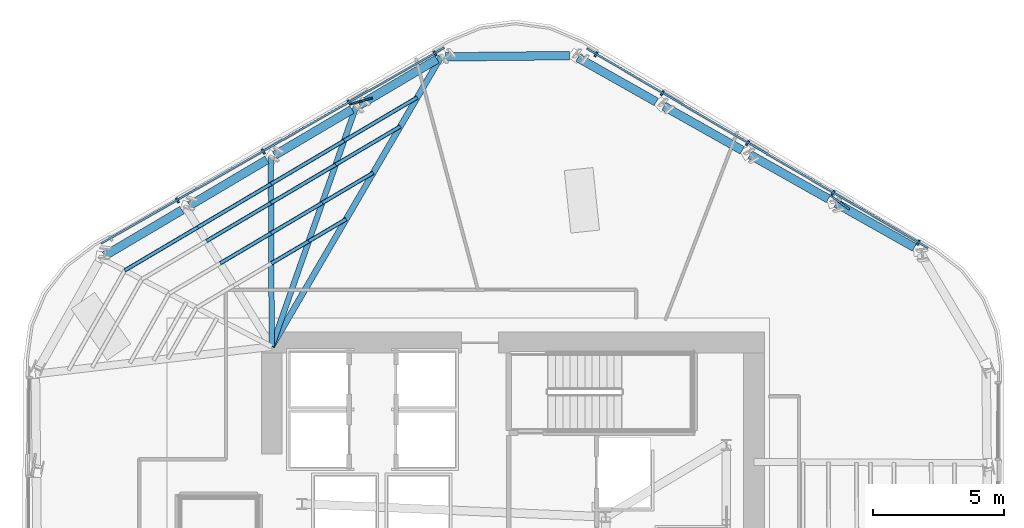
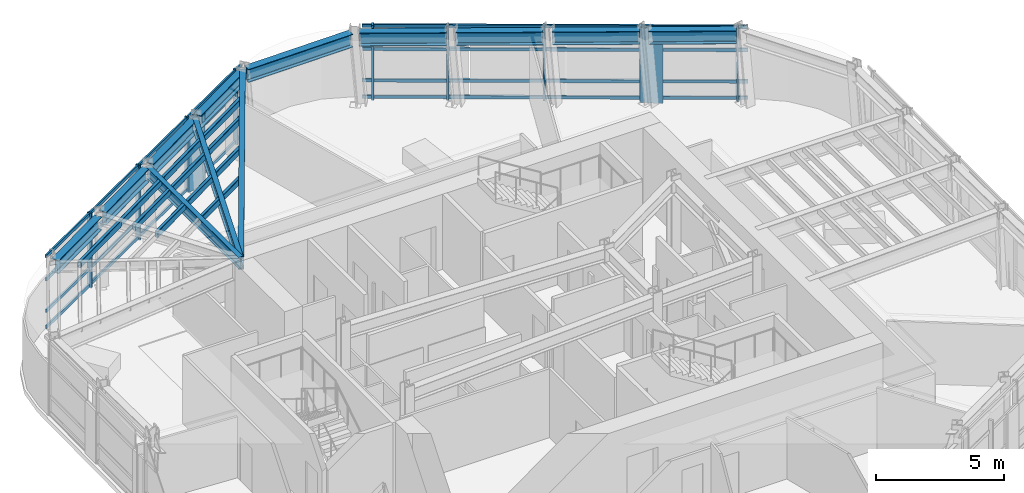
# One storey, part 6 of 16: 31 members, 12 beams, 2 elements without a shape of their own.
"""IFC4 building model written with IfcOpenShell, lengths in metres."""

from ifc_helpers import new_model, si_unit, direction, frame, origin, origin_2d, place, context, subcontext, project, spatial, rectangle, hollow_rectangle, i_section, extrude, material, layer, layer_set, material_profile, profile_set, type_object, element, aggregate, save


model = new_model("IFC4")

# Units and contexts
model_context = context("Model", 3, precision=1e-05, world=origin(), true_north=direction((0.0, 1.0)))
body_context = subcontext(model_context, "Body", "Model", "MODEL_VIEW")
ifc_project = project(units=[si_unit("LENGTHUNIT", "METRE"), si_unit("AREAUNIT", "SQUARE_METRE"), si_unit("VOLUMEUNIT", "CUBIC_METRE"), si_unit("PLANEANGLEUNIT", "RADIAN"), si_unit("MASSUNIT", "GRAM", prefix="KILO")], contexts=[model_context])

# Site, building, storey
site_placement = place(None, origin())
site = spatial("IfcSite", under=ifc_project, at=site_placement, CompositionType="ELEMENT")
building_placement = place(site_placement, origin())
building = spatial("IfcBuilding", under=site, at=building_placement, Name="Valkerne Bourse Tower", CompositionType="ELEMENT")
storey_placement = place(building_placement, frame((0.0, 0.0, 151.39990234375)))
storey = spatial("IfcBuildingStorey", under=building, at=storey_placement, Name="L38", CompositionType="ELEMENT", Elevation=151.39990234375)

# Beams
ifc_material_1 = material(Name="Steel ASTM A992", Category="steel")
ifc_material_profile_1 = material_profile(ifc_material_1, i_section(OverallWidth=0.209228515625, OverallDepth=0.533447265625, WebThickness=0.01025390625, FlangeThickness=0.015625, FilletRadius=0.017822265625, at=origin_2d()), Name="W21X62")
ifc_profile_set_1 = profile_set([ifc_material_profile_1], Name="Steel ASTM A992")
beam_type_1 = type_object("IfcBeamType", Name="BM-W21X62", PredefinedType="JOIST", material=ifc_profile_set_1)
beam_1_placement = place(storey_placement, frame((37.564208984375, 42.61669921875, 3.3134765625), z_axis=(0.004972874911, -0.999987635181, 0.0), x_axis=(0.999987635181, 0.004972874911, 0.0)))
element("IfcBeam", 1, at=beam_1_placement, inside=storey, type_object=beam_type_1, Name="L38 Radial Composite Floor Beam 07", PredefinedType="JOIST", context=body_context, shape_type="SweptSolid", body=[
    extrude(i_section(OverallWidth=0.209228515625, OverallDepth=0.533447265625, WebThickness=0.01025390625, FlangeThickness=0.015625, FilletRadius=0.017822265625, at=origin_2d()), origin(), (0.0, 0.0, 1.0), 7.216796875),
])
ifc_material_profile_2 = material_profile(ifc_material_1, i_section(OverallWidth=0.2138671875, OverallDepth=0.548583984375, WebThickness=0.0146484375, FlangeThickness=0.023681640625, FilletRadius=0.017822265625, at=origin_2d()), Name="W21X93")
ifc_profile_set_2 = profile_set([ifc_material_profile_2], Name="Steel ASTM A992")
beam_type_2 = type_object("IfcBeamType", Name="BM-W21X93", PredefinedType="BEAM", material=ifc_profile_set_2)
beam_2_placement = place(storey_placement, frame((40.810302734375, 44.5361328125, 3.305908203125), z_axis=(-0.331502370783, -0.943454385842, 0.0), x_axis=(0.943454385842, -0.331502370783, 0.0)))
element("IfcBeam", 2, at=beam_2_placement, inside=storey, type_object=beam_type_2, Name="L38 Radial Composite Floor Beam 06", PredefinedType="BEAM", context=body_context, shape_type="SweptSolid", body=[
    extrude(i_section(OverallWidth=0.2138671875, OverallDepth=0.548583984375, WebThickness=0.0146484375, FlangeThickness=0.023681640625, FilletRadius=0.017822265625, at=origin_2d()), origin(), (0.0, 0.0, 1.0), 9.683837890625),
])
ifc_material_profile_3 = material_profile(ifc_material_1, i_section(OverallWidth=0.32763671875, OverallDepth=0.62744140625, WebThickness=0.0166015625, FlangeThickness=0.027587890625, FilletRadius=0.020263671875, at=origin_2d()), Name="W24X146")
ifc_profile_set_3 = profile_set([ifc_material_profile_3], Name="Steel ASTM A992")
beam_type_3 = type_object("IfcBeamType", Name="BM-W24X146", PredefinedType="SPANDREL", material=ifc_profile_set_3)
for number, where, z_axis, x_axis, name in (
    (3, (62.129150390625, 39.187744140625, 3.266357421875), (-0.87124848493, 0.490842212434, 0.0), (-0.490842212434, -0.87124848493, 0.0), "L38 Hexagonal Spandrel Ring Beam 00"),
    (4, (58.84375, 41.038818359375, 3.266357421875), (-0.871200905881, 0.490926656022, 0.0), (-0.490926656022, -0.871200905881, 0.0), "L38 Hexagonal Spandrel Ring Beam 01"),
    (5, (55.55859375, 42.89013671875, 3.266357421875), (-0.87124848493, 0.490842212434, 0.0), (-0.490842212434, -0.87124848493, 0.0), "L38 Hexagonal Spandrel Ring Beam 02"),
):
    element("IfcBeam", number, at=place(storey_placement, frame(where, z_axis=z_axis, x_axis=x_axis)), inside=storey, type_object=beam_type_3, Name=name, PredefinedType="SPANDREL", context=body_context, shape_type="SweptSolid", body=[
        extrude(i_section(OverallWidth=0.32763671875, OverallDepth=0.62744140625, WebThickness=0.0166015625, FlangeThickness=0.027587890625, FilletRadius=0.020263671875, at=origin_2d()), origin(), (0.0, 0.0, 1.0), 3.430908203125),
    ])
beam_3_placement = place(storey_placement, frame((52.273193359375, 44.7412109375, 3.266357421875), z_axis=(-0.871218054269, 0.490896223163, 0.0), x_axis=(-0.490896223163, -0.871218054269, 0.0)))
element("IfcBeam", 6, at=beam_3_placement, inside=storey, type_object=beam_type_3, Name="L38 Hexagonal Spandrel Ring Beam 03", PredefinedType="SPANDREL", context=body_context, shape_type="SweptSolid", body=[
    extrude(i_section(OverallWidth=0.32763671875, OverallDepth=0.62744140625, WebThickness=0.0166015625, FlangeThickness=0.027587890625, FilletRadius=0.020263671875, at=origin_2d()), origin(), (0.0, 0.0, 1.0), 3.43115234375),
])
beam_4_placement = place(storey_placement, frame((48.9658203125, 46.507080078125, 3.266357421875), z_axis=(-0.999945336628, -0.01045580011, 0.0), x_axis=(0.01045580011, -0.999945336628, 0.0)))
element("IfcBeam", 7, at=beam_4_placement, inside=storey, type_object=beam_type_3, Name="L38 Hexagonal Spandrel Ring Beam 04", PredefinedType="SPANDREL", context=body_context, shape_type="SweptSolid", body=[
    extrude(i_section(OverallWidth=0.32763671875, OverallDepth=0.62744140625, WebThickness=0.0166015625, FlangeThickness=0.027587890625, FilletRadius=0.020263671875, at=origin_2d()), origin(), (0.0, 0.0, 1.0), 4.739990234375),
])
beam_5_placement = place(storey_placement, frame((43.909912109375, 46.369384765625, 3.266357421875), z_axis=(-0.860746574239, -0.509033726718, 0.0), x_axis=(0.509033726718, -0.860746574239, 0.0)))
element("IfcBeam", 8, at=beam_5_placement, inside=storey, type_object=beam_type_3, Name="L38 Hexagonal Spandrel Ring Beam 05", PredefinedType="SPANDREL", context=body_context, shape_type="SweptSolid", body=[
    extrude(i_section(OverallWidth=0.32763671875, OverallDepth=0.62744140625, WebThickness=0.0166015625, FlangeThickness=0.027587890625, FilletRadius=0.020263671875, at=origin_2d()), origin(), (0.0, 0.0, 1.0), 3.43115234375),
])
for number, where, z_axis, x_axis, name in (
    (9, (40.663818359375, 44.44970703125, 3.266357421875), (-0.860728135524, -0.509064904228, 0.0), (0.509064904228, -0.860728135524, 0.0), "L38 Hexagonal Spandrel Ring Beam 06"),
    (10, (37.41796875, 42.530029296875, 3.266357421875), (-0.860728135524, -0.509064904228, 0.0), (0.509064904228, -0.860728135524, 0.0), "L38 Hexagonal Spandrel Ring Beam 07"),
    (11, (34.172119140625, 40.610595703125, 3.266357421875), (-0.860728135524, -0.509064904228, 0.0), (0.509064904228, -0.860728135524, 0.0), "L38 Hexagonal Spandrel Ring Beam 08"),
):
    element("IfcBeam", number, at=place(storey_placement, frame(where, z_axis=z_axis, x_axis=x_axis)), inside=storey, type_object=beam_type_3, Name=name, PredefinedType="SPANDREL", context=body_context, shape_type="SweptSolid", body=[
        extrude(i_section(OverallWidth=0.32763671875, OverallDepth=0.62744140625, WebThickness=0.0166015625, FlangeThickness=0.027587890625, FilletRadius=0.020263671875, at=origin_2d()), origin(), (0.0, 0.0, 1.0), 3.430908203125),
    ])
ifc_material_profile_4 = material_profile(ifc_material_1, i_section(OverallWidth=0.228271484375, OverallDepth=0.607177734375, WebThickness=0.01123046875, FlangeThickness=0.017333984375, FilletRadius=0.017822265625, at=origin_2d()), Name="W24X76")
ifc_profile_set_4 = profile_set([ifc_material_profile_4], Name="Steel ASTM A992")
beam_type_4 = type_object("IfcBeamType", Name="BM-W24X76", PredefinedType="JOIST", material=ifc_profile_set_4)
beam_6_placement = place(storey_placement, frame((44.05615234375, 46.455810546875, 3.276611328125), z_axis=(-0.504265794149, -0.863548498262, 0.0), x_axis=(0.863548498262, -0.504265794149, 0.0)))
element("IfcBeam", 12, at=beam_6_placement, inside=storey, type_object=beam_type_4, Name="L38 Radial Composite Floor Beam 05", PredefinedType="JOIST", context=body_context, shape_type="SweptSolid", body=[
    extrude(i_section(OverallWidth=0.228271484375, OverallDepth=0.607177734375, WebThickness=0.01123046875, FlangeThickness=0.017333984375, FilletRadius=0.017822265625, at=origin_2d()), origin(), (0.0, 0.0, 1.0), 12.802978515625),
])

# Curtain wall, members
ifc_material_2 = material(Name="Aluminium AA 6063-T6", Category="aluminium")
ifc_layer = layer(ifc_material_2, 0.235107421875)
ifc_layer_set = layer_set([ifc_layer], Name="Aluminium AA 6063-T6")
curtain_wall_type = type_object("IfcCurtainWallType", Name="CW-03", PredefinedType="NOTDEFINED", material=ifc_layer_set)
curtain_wall_1_placement = place(storey_placement, origin())
curtain_wall_1 = element("IfcCurtainWall", 13, at=curtain_wall_1_placement, inside=storey, type_object=curtain_wall_type, Name="L38 Hexagonal Stick Curtain Wall Face 1", PredefinedType="NOTDEFINED")
ifc_material_profile_5 = material_profile(ifc_material_2, rectangle(XDim=0.074951171875, YDim=0.199951171875, at=origin_2d()), Name="CWM-75X200")
ifc_profile_set_5 = profile_set([ifc_material_profile_5], Name="Aluminium AA 6063-T6")
member_type_1 = type_object("IfcMemberType", Name="CW-MUL-220X75", PredefinedType="MULLION", material=ifc_profile_set_5)
member_1_placement = place(storey_placement, frame((62.2744140625, 39.364990234375, 0.0), z_axis=(0.0, 0.0, 1.0), x_axis=(-0.863394897146, 0.504528742077, 0.0)))
member_1 = element("IfcMember", 14, at=member_1_placement, type_object=member_type_1, Name="CW-L38-F1 Jamb Mullion 00A", PredefinedType="MULLION", context=body_context, shape_type="SweptSolid", body=[
    extrude(rectangle(XDim=0.074951171875, YDim=0.199951171875, at=origin_2d()), origin(), (0.0, 0.0, 1.0), 3.580078125),
])
member_2_placement = place(storey_placement, frame((59.0185546875, 41.267578125, 0.0), z_axis=(0.0, 0.0, 1.0), x_axis=(-0.863388146814, 0.504540293675, 0.0)))
member_2 = element("IfcMember", 15, at=member_2_placement, type_object=member_type_1, Name="CW-L38-F1 Jamb Mullion 01A", PredefinedType="MULLION", context=body_context, shape_type="SweptSolid", body=[
    extrude(rectangle(XDim=0.074951171875, YDim=0.199951171875, at=origin_2d()), origin(), (0.0, 0.0, 1.0), 3.580078125),
])
member_3_placement = place(storey_placement, frame((55.7626953125, 43.17041015625, 0.0), z_axis=(0.0, 0.0, 1.0), x_axis=(-0.863394897146, 0.504528742077, 0.0)))
member_3 = element("IfcMember", 16, at=member_3_placement, type_object=member_type_1, Name="CW-L38-F1 Jamb Mullion 02A", PredefinedType="MULLION", context=body_context, shape_type="SweptSolid", body=[
    extrude(rectangle(XDim=0.074951171875, YDim=0.199951171875, at=origin_2d()), origin(), (0.0, 0.0, 1.0), 3.580078125),
])
member_4_placement = place(storey_placement, frame((52.5068359375, 45.072998046875, 0.0), z_axis=(0.0, 0.0, 1.0), x_axis=(-0.863406448459, 0.504508973914, 0.0)))
member_4 = element("IfcMember", 17, at=member_4_placement, type_object=member_type_1, Name="CW-L38-F1 Jamb Mullion 03A", PredefinedType="MULLION", context=body_context, shape_type="SweptSolid", body=[
    extrude(rectangle(XDim=0.074951171875, YDim=0.199951171875, at=origin_2d()), origin(), (0.0, 0.0, 1.0), 3.580078125),
])
member_5_placement = place(storey_placement, frame((49.976318359375, 46.551513671875, 0.0), z_axis=(0.0, 0.0, 1.0), x_axis=(-0.863406448459, 0.504508973914, 0.0)))
member_5 = element("IfcMember", 18, at=member_5_placement, type_object=member_type_1, Name="CW-L38-F1 Jamb Mullion 03B", PredefinedType="MULLION", context=body_context, shape_type="SweptSolid", body=[
    extrude(rectangle(XDim=0.074951171875, YDim=0.199951171875, at=origin_2d()), origin(), (0.0, 0.0, 1.0), 3.580078125),
])

curtain_wall_2_placement = place(storey_placement, origin())
curtain_wall_2 = element("IfcCurtainWall", 19, at=curtain_wall_2_placement, inside=storey, type_object=curtain_wall_type, Name="L38 Hexagonal Stick Curtain Wall Face 2", PredefinedType="NOTDEFINED")
member_6_placement = place(storey_placement, frame((43.82861328125, 46.583740234375, 0.0), z_axis=(0.0, 0.0, 1.0), x_axis=(-0.868639418098, -0.495444811585, 0.0)))
member_6 = element("IfcMember", 20, at=member_6_placement, type_object=member_type_1, Name="CW-L38-F2 Jamb Mullion 00A", PredefinedType="MULLION", context=body_context, shape_type="SweptSolid", body=[
    extrude(rectangle(XDim=0.074951171875, YDim=0.199951171875, at=origin_2d()), origin(), (0.0, 0.0, 1.0), 3.580078125),
])
member_7_placement = place(storey_placement, frame((40.552978515625, 44.71533203125, 0.0), z_axis=(0.0, 0.0, 1.0), x_axis=(-0.868628005446, -0.4954648203, 0.0)))
member_7 = element("IfcMember", 21, at=member_7_placement, type_object=member_type_1, Name="CW-L38-F2 Jamb Mullion 01A", PredefinedType="MULLION", context=body_context, shape_type="SweptSolid", body=[
    extrude(rectangle(XDim=0.074951171875, YDim=0.199951171875, at=origin_2d()), origin(), (0.0, 0.0, 1.0), 3.580078125),
])
member_8_placement = place(storey_placement, frame((37.277587890625, 42.846923828125, 0.0), z_axis=(0.0, 0.0, 1.0), x_axis=(-0.868628005446, -0.4954648203, 0.0)))
member_8 = element("IfcMember", 22, at=member_8_placement, type_object=member_type_1, Name="CW-L38-F2 Jamb Mullion 02A", PredefinedType="MULLION", context=body_context, shape_type="SweptSolid", body=[
    extrude(rectangle(XDim=0.074951171875, YDim=0.199951171875, at=origin_2d()), origin(), (0.0, 0.0, 1.0), 3.580078125),
])
member_9_placement = place(storey_placement, frame((34.001953125, 40.978515625, 0.0), z_axis=(0.0, 0.0, 1.0), x_axis=(-0.868628005446, -0.4954648203, 0.0)))
member_9 = element("IfcMember", 23, at=member_9_placement, type_object=member_type_1, Name="CW-L38-F2 Jamb Mullion 03A", PredefinedType="MULLION", context=body_context, shape_type="SweptSolid", body=[
    extrude(rectangle(XDim=0.074951171875, YDim=0.199951171875, at=origin_2d()), origin(), (0.0, 0.0, 1.0), 3.580078125),
])

# Member
ifc_material_profile_6 = material_profile(ifc_material_2, rectangle(XDim=0.074951171875, YDim=0.14990234375, at=origin_2d()), Name="CWT-75X150")
ifc_profile_set_6 = profile_set([ifc_material_profile_6], Name="Aluminium AA 6063-T6")
member_type_2 = type_object("IfcMemberType", Name="CW-TRN-180X65", PredefinedType="USERDEFINED", material=ifc_profile_set_6)
member_10_placement = place(storey_placement, frame((62.647216796875, 39.17041015625, 0.1201171875), z_axis=(-0.863397673633, 0.504523990674, 0.0), x_axis=(-0.504523990674, -0.863397673633, 0.0)))
member_10 = element("IfcMember", 24, at=member_10_placement, type_object=member_type_2, Name="CW-L38-F1 Continuous Face Transom 1", ObjectType="TRANSOM", PredefinedType="USERDEFINED", context=body_context, shape_type="SweptSolid", body=[
    extrude(rectangle(XDim=0.074951171875, YDim=0.14990234375, at=origin_2d()), origin(), (0.0, 0.0, 1.0), 15.084228515625),
])

member_11_placement = place(storey_placement, frame((62.647216796875, 39.17041015625, 0.900146484375), z_axis=(-0.863397673633, 0.504523990674, 0.0), x_axis=(-0.504523990674, -0.863397673633, 0.0)))
member_11 = element("IfcMember", 25, at=member_11_placement, type_object=member_type_2, Name="CW-L38-F1 Continuous Face Transom 2", ObjectType="TRANSOM", PredefinedType="USERDEFINED", context=body_context, shape_type="SweptSolid", body=[
    extrude(rectangle(XDim=0.074951171875, YDim=0.14990234375, at=origin_2d()), origin(), (0.0, 0.0, 1.0), 15.084228515625),
])

member_12_placement = place(storey_placement, frame((62.647216796875, 39.17041015625, 2.400146484375), z_axis=(-0.863397673633, 0.504523990674, 0.0), x_axis=(-0.504523990674, -0.863397673633, 0.0)))
member_12 = element("IfcMember", 26, at=member_12_placement, type_object=member_type_2, Name="CW-L38-F1 Continuous Face Transom 3", ObjectType="TRANSOM", PredefinedType="USERDEFINED", context=body_context, shape_type="SweptSolid", body=[
    extrude(rectangle(XDim=0.074951171875, YDim=0.14990234375, at=origin_2d()), origin(), (0.0, 0.0, 1.0), 15.084228515625),
])

member_13_placement = place(storey_placement, frame((62.647216796875, 39.17041015625, 3.5), z_axis=(-0.863397673633, 0.504523990674, 0.0), x_axis=(-0.504523990674, -0.863397673633, 0.0)))
member_13 = element("IfcMember", 27, at=member_13_placement, type_object=member_type_2, Name="CW-L38-F1 Continuous Face Transom 4", ObjectType="TRANSOM", PredefinedType="USERDEFINED", context=body_context, shape_type="SweptSolid", body=[
    extrude(rectangle(XDim=0.074951171875, YDim=0.14990234375, at=origin_2d()), origin(), (0.0, 0.0, 1.0), 15.084228515625),
])

aggregate(curtain_wall_1, [member_10, member_11, member_12, member_13, member_1, member_2, member_3, member_4, member_5])

member_14_placement = place(storey_placement, frame((44.18359375, 46.80908203125, 0.1201171875), z_axis=(-0.868632324949, -0.495457247452, 0.0), x_axis=(0.495457247452, -0.868632324949, 0.0)))
member_14 = element("IfcMember", 28, at=member_14_placement, type_object=member_type_2, Name="CW-L38-F2 Continuous Face Transom 1", ObjectType="TRANSOM", PredefinedType="USERDEFINED", context=body_context, shape_type="SweptSolid", body=[
    extrude(rectangle(XDim=0.074951171875, YDim=0.14990234375, at=origin_2d()), origin(), (0.0, 0.0, 1.0), 15.083740234375),
])

member_15_placement = place(storey_placement, frame((44.18359375, 46.80908203125, 0.900146484375), z_axis=(-0.868632324949, -0.495457247452, 0.0), x_axis=(0.495457247452, -0.868632324949, 0.0)))
member_15 = element("IfcMember", 29, at=member_15_placement, type_object=member_type_2, Name="CW-L38-F2 Continuous Face Transom 2", ObjectType="TRANSOM", PredefinedType="USERDEFINED", context=body_context, shape_type="SweptSolid", body=[
    extrude(rectangle(XDim=0.074951171875, YDim=0.14990234375, at=origin_2d()), origin(), (0.0, 0.0, 1.0), 15.083740234375),
])

member_16_placement = place(storey_placement, frame((44.18359375, 46.80908203125, 2.400146484375), z_axis=(-0.868632324949, -0.495457247452, 0.0), x_axis=(0.495457247452, -0.868632324949, 0.0)))
member_16 = element("IfcMember", 30, at=member_16_placement, type_object=member_type_2, Name="CW-L38-F2 Continuous Face Transom 3", ObjectType="TRANSOM", PredefinedType="USERDEFINED", context=body_context, shape_type="SweptSolid", body=[
    extrude(rectangle(XDim=0.074951171875, YDim=0.14990234375, at=origin_2d()), origin(), (0.0, 0.0, 1.0), 15.083740234375),
])

member_17_placement = place(storey_placement, frame((44.18359375, 46.80908203125, 3.5), z_axis=(-0.868632324949, -0.495457247452, 0.0), x_axis=(0.495457247452, -0.868632324949, 0.0)))
member_17 = element("IfcMember", 31, at=member_17_placement, type_object=member_type_2, Name="CW-L38-F2 Continuous Face Transom 4", ObjectType="TRANSOM", PredefinedType="USERDEFINED", context=body_context, shape_type="SweptSolid", body=[
    extrude(rectangle(XDim=0.074951171875, YDim=0.14990234375, at=origin_2d()), origin(), (0.0, 0.0, 1.0), 15.083740234375),
])

aggregate(curtain_wall_2, [member_14, member_15, member_16, member_17, member_6, member_7, member_8, member_9])

# Members
ifc_material_3 = material(Name="Bronze Anodised Aluminium AA 6063-T6", Category="aluminium")
ifc_material_profile_7 = material_profile(ifc_material_3, rectangle(XDim=0.070068359375, YDim=0.89990234375, at=origin_2d()), Name="FIN-70X900")
ifc_profile_set_7 = profile_set([ifc_material_profile_7], Name="Bronze Anodised Aluminium AA 6063-T6")
member_type_3 = type_object("IfcMemberType", Name="FIN-SOLAR-900", PredefinedType="USERDEFINED", material=ifc_profile_set_7)
for number, where, z_axis, x_axis, name in (
    (32, (59.290283203125, 40.900390625, 0.004150390625), (0.0, 0.0, 1.0), (0.596100488226, 0.802909837988, 0.0), "L38 Bronze Anodised Solar Fin F1-01"),
    (33, (41.007080078125, 44.76708984375, 0.004150390625), (0.0, 0.0, 1.0), (-0.270997199551, 0.962580135799, 0.0), "L38 Bronze Anodised Solar Fin F2-01"),
):
    element("IfcMember", number, at=place(storey_placement, frame(where, z_axis=z_axis, x_axis=x_axis)), inside=storey, type_object=member_type_3, Name=name, ObjectType="SOLAR_FIN", PredefinedType="USERDEFINED", context=body_context, shape_type="SweptSolid", body=[
        extrude(rectangle(XDim=0.070068359375, YDim=0.89990234375, at=origin_2d()), origin(), (0.0, 0.0, 1.0), 3.572021484375),
    ])
ifc_material_4 = material(Name="Steel ASTM A500 Grade C", Category="steel")
ifc_material_profile_8 = material_profile(ifc_material_4, hollow_rectangle(XDim=0.14990234375, YDim=0.300048828125, WallThickness=0.012451171875, OuterFilletRadius=0.02490234375, at=origin_2d()), Name="HSS300X150X12.5")
ifc_profile_set_8 = profile_set([ifc_material_profile_8], Name="Steel ASTM A500 Grade C")
member_type_4 = type_object("IfcMemberType", Name="MBR-HSS300X150X12.5", PredefinedType="PURLIN", material=ifc_profile_set_8)
for number, where, z_axis, x_axis, name in (
    (34, (40.440673828125, 40.2646484375, 3.420166015625), (-0.860721420007, -0.509076258671, 0.0), (0.509076258671, -0.860721420007, 0.0), "L38 Secondary Composite Floor Purlin K-05"),
    (35, (39.012451171875, 39.419921875, 3.420166015625), (-0.860721420007, -0.509076258671, 0.0), (0.509076258671, -0.860721420007, 0.0), "L38 Secondary Composite Floor Purlin K-06"),
):
    element("IfcMember", number, at=place(storey_placement, frame(where, z_axis=z_axis, x_axis=x_axis)), inside=storey, type_object=member_type_4, Name=name, PredefinedType="PURLIN", context=body_context, shape_type="SweptSolid", body=[
        extrude(hollow_rectangle(XDim=0.14990234375, YDim=0.300048828125, WallThickness=0.012451171875, OuterFilletRadius=0.02490234375, at=origin_2d()), origin(), (0.0, 0.0, 1.0), 1.659423828125),
    ])
for number, where, z_axis, x_axis, name in (
    (36, (42.506591796875, 43.802490234375, 3.420166015625), (-0.86072295134, -0.509073669557, 0.0), (0.509073669557, -0.86072295134, 0.0), "L38 Secondary Composite Floor Purlin O-05"),
    (37, (40.039794921875, 42.343505859375, 3.420166015625), (-0.86072295134, -0.509073669557, 0.0), (0.509073669557, -0.86072295134, 0.0), "L38 Secondary Composite Floor Purlin O-06"),
):
    element("IfcMember", number, at=place(storey_placement, frame(where, z_axis=z_axis, x_axis=x_axis)), inside=storey, type_object=member_type_4, Name=name, PredefinedType="PURLIN", context=body_context, shape_type="SweptSolid", body=[
        extrude(hollow_rectangle(XDim=0.14990234375, YDim=0.300048828125, WallThickness=0.012451171875, OuterFilletRadius=0.02490234375, at=origin_2d()), origin(), (0.0, 0.0, 1.0), 2.865966796875),
    ])
member_18_placement = place(storey_placement, frame((37.572998046875, 40.884521484375, 3.420166015625), z_axis=(-0.860760276869, -0.509010555651, 0.0), x_axis=(0.509010555651, -0.860760276869, 0.0)))
element("IfcMember", 38, at=member_18_placement, inside=storey, type_object=member_type_4, Name="L38 Secondary Composite Floor Purlin O-07", PredefinedType="PURLIN", context=body_context, shape_type="SweptSolid", body=[
    extrude(hollow_rectangle(XDim=0.14990234375, YDim=0.300048828125, WallThickness=0.012451171875, OuterFilletRadius=0.02490234375, at=origin_2d()), origin(), (0.0, 0.0, 1.0), 2.86572265625),
])
member_19_placement = place(storey_placement, frame((41.4736328125, 42.033447265625, 3.420166015625), z_axis=(-0.860722389832, -0.509074618933, 0.0), x_axis=(0.509074618933, -0.860722389832, 0.0)))
element("IfcMember", 39, at=member_19_placement, inside=storey, type_object=member_type_4, Name="L38 Secondary Composite Floor Purlin Z-05", PredefinedType="PURLIN", context=body_context, shape_type="SweptSolid", body=[
    extrude(hollow_rectangle(XDim=0.14990234375, YDim=0.300048828125, WallThickness=0.012451171875, OuterFilletRadius=0.02490234375, at=origin_2d()), origin(), (0.0, 0.0, 1.0), 2.2626953125),
])
member_20_placement = place(storey_placement, frame((39.526123046875, 40.881591796875, 3.420166015625), z_axis=(-0.860769667692, -0.508994675003, 0.0), x_axis=(0.508994675003, -0.860769667692, 0.0)))
element("IfcMember", 40, at=member_20_placement, inside=storey, type_object=member_type_4, Name="L38 Secondary Composite Floor Purlin Z-06", PredefinedType="PURLIN", context=body_context, shape_type="SweptSolid", body=[
    extrude(hollow_rectangle(XDim=0.14990234375, YDim=0.300048828125, WallThickness=0.012451171875, OuterFilletRadius=0.02490234375, at=origin_2d()), origin(), (0.0, 0.0, 1.0), 2.262451171875),
])
member_21_placement = place(storey_placement, frame((37.57861328125, 39.72998046875, 3.420166015625), z_axis=(-0.860722389832, -0.509074618933, 0.0), x_axis=(0.509074618933, -0.860722389832, 0.0)))
element("IfcMember", 41, at=member_21_placement, inside=storey, type_object=member_type_4, Name="L38 Secondary Composite Floor Purlin Z-07", PredefinedType="PURLIN", context=body_context, shape_type="SweptSolid", body=[
    extrude(hollow_rectangle(XDim=0.14990234375, YDim=0.300048828125, WallThickness=0.012451171875, OuterFilletRadius=0.02490234375, at=origin_2d()), origin(), (0.0, 0.0, 1.0), 2.2626953125),
])
member_22_placement = place(storey_placement, frame((43.152099609375, 44.907958984375, 3.420166015625), z_axis=(-0.86072412666, -0.509071682365, 0.0), x_axis=(0.509071682365, -0.86072412666, 0.0)))
element("IfcMember", 42, at=member_22_placement, inside=storey, type_object=member_type_4, Name="L38 Secondary Composite Floor Purlin T-05", PredefinedType="PURLIN", context=body_context, shape_type="SweptSolid", body=[
    extrude(hollow_rectangle(XDim=0.14990234375, YDim=0.300048828125, WallThickness=0.012451171875, OuterFilletRadius=0.02490234375, at=origin_2d()), origin(), (0.0, 0.0, 1.0), 3.242919921875),
])
for number, where, z_axis, x_axis, name in (
    (43, (40.36083984375, 43.257080078125, 3.420166015625), (-0.860743634961, -0.509038696834, 0.0), (0.509038696834, -0.860743634961, 0.0), "L38 Secondary Composite Floor Purlin T-06"),
    (44, (37.5693359375, 41.606201171875, 3.420166015625), (-0.860743634961, -0.509038696834, 0.0), (0.509038696834, -0.860743634961, 0.0), "L38 Secondary Composite Floor Purlin T-07"),
):
    element("IfcMember", number, at=place(storey_placement, frame(where, z_axis=z_axis, x_axis=x_axis)), inside=storey, type_object=member_type_4, Name=name, PredefinedType="PURLIN", context=body_context, shape_type="SweptSolid", body=[
        extrude(hollow_rectangle(XDim=0.14990234375, YDim=0.300048828125, WallThickness=0.012451171875, OuterFilletRadius=0.02490234375, at=origin_2d()), origin(), (0.0, 0.0, 1.0), 3.2431640625),
    ])
member_23_placement = place(storey_placement, frame((34.77783203125, 39.955322265625, 3.420166015625), z_axis=(-0.860776618184, -0.508982920723, 0.0), x_axis=(0.508982920723, -0.860776618184, 0.0)))
element("IfcMember", 45, at=member_23_placement, inside=storey, type_object=member_type_4, Name="L38 Secondary Composite Floor Purlin T-08", PredefinedType="PURLIN", context=body_context, shape_type="SweptSolid", body=[
    extrude(hollow_rectangle(XDim=0.14990234375, YDim=0.300048828125, WallThickness=0.012451171875, OuterFilletRadius=0.02490234375, at=origin_2d()), origin(), (0.0, 0.0, 1.0), 3.242919921875),
])

save(model, "model.ifc")
